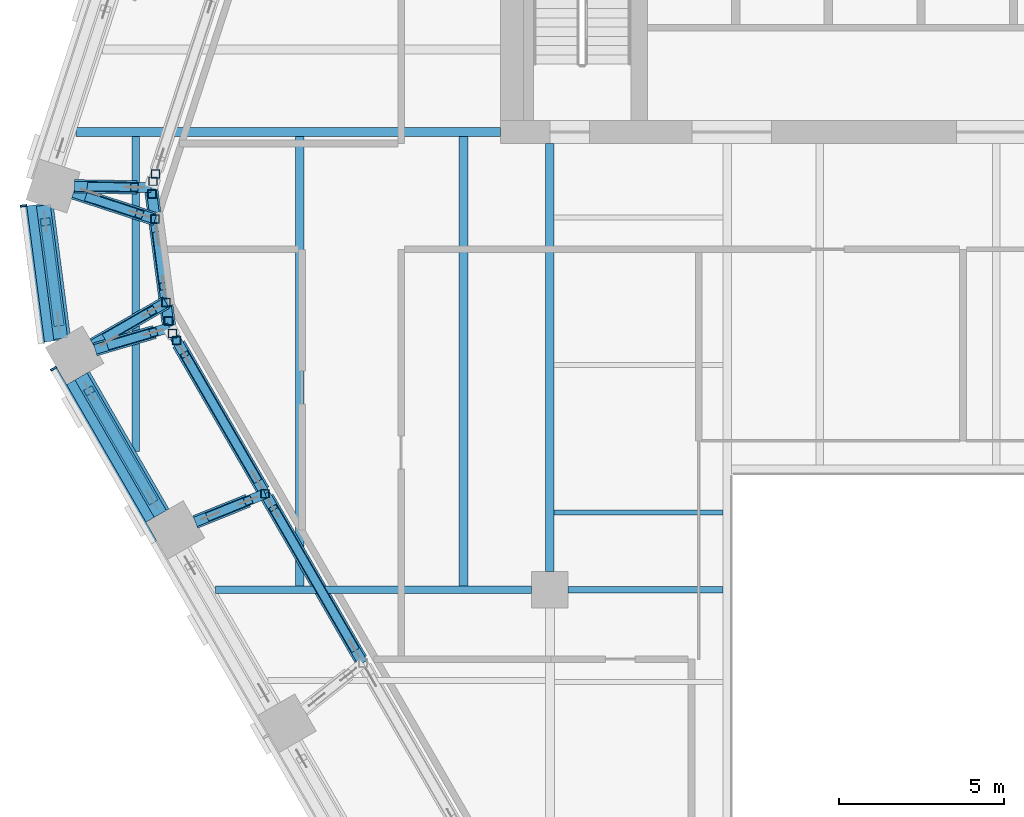
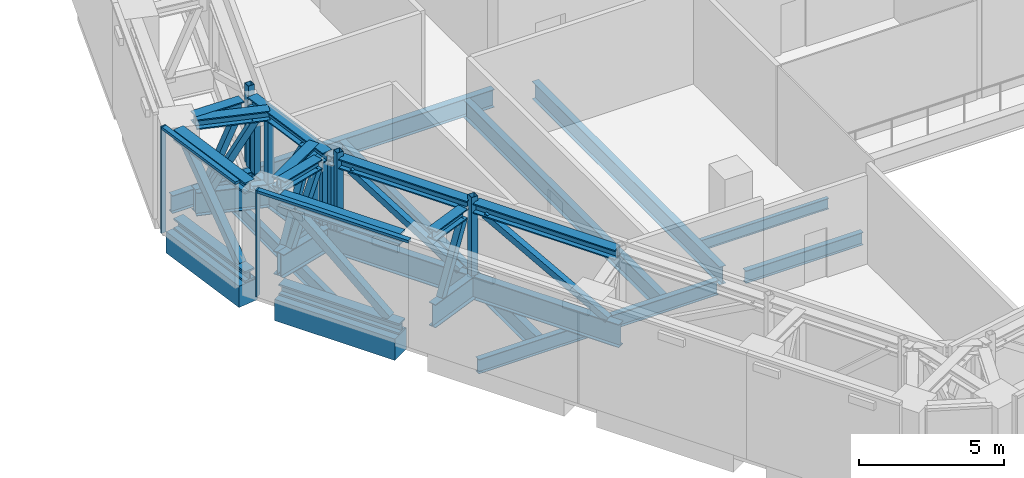
# One storey, part 4 of 26: 43 members, 10 beams, 2 elements without a shape of their own.
"""IFC4 building model written with IfcOpenShell, lengths in metres."""

from ifc_helpers import new_model, si_unit, direction, frame, origin, origin_2d, place, context, subcontext, project, spatial, rectangle, hollow_rectangle, i_section, extrude, material, layer, layer_set, material_profile, profile_set, type_object, element, aggregate, save


model = new_model("IFC4")

# Units and contexts
model_context = context("Model", 3, precision=1e-05, world=origin(), true_north=direction((0.0, 1.0)))
body_context = subcontext(model_context, "Body", "Model", "MODEL_VIEW")
ifc_project = project(units=[si_unit("LENGTHUNIT", "METRE"), si_unit("AREAUNIT", "SQUARE_METRE"), si_unit("VOLUMEUNIT", "CUBIC_METRE"), si_unit("PLANEANGLEUNIT", "RADIAN"), si_unit("MASSUNIT", "GRAM", prefix="KILO")], contexts=[model_context])

# Site, building, storey
site_placement = place(None, origin())
site = spatial("IfcSite", under=ifc_project, at=site_placement, CompositionType="ELEMENT")
building_placement = place(site_placement, origin())
building = spatial("IfcBuilding", under=site, at=building_placement, Name="Isthmus Gate Tower", CompositionType="ELEMENT")
storey_placement = place(building_placement, frame((0.0, 0.0, 207.300048828125)))
storey = spatial("IfcBuildingStorey", under=building, at=storey_placement, Name="L52", CompositionType="ELEMENT", Elevation=207.300048828125)

# Members
ifc_material_1 = material(Name="Structural steel ASTM A913 Gr 65", Category="steel")
ifc_material_profile_1 = material_profile(ifc_material_1, i_section(OverallWidth=0.42236328125, OverallDepth=0.46337890625, WebThickness=0.04443359375, FlangeThickness=0.072998046875, at=origin_2d()), Name="W14X398")
ifc_profile_set_1 = profile_set([ifc_material_profile_1], Name="Structural steel ASTM A913 Gr 65")
member_type_1 = type_object("IfcMemberType", Name="BELT TRUSS CHORD W14X398", PredefinedType="CHORD", material=ifc_profile_set_1)
for number, where, z_axis, x_axis, name in (
    (1, (-25.284912109375, -11.205322265625, 0.231689453125), (-0.499995408039, 0.866028054938, 0.0), (-0.866028054938, -0.499995408039, 0.0), "str-belt19-L52-01"),
    (2, (-25.284912109375, -11.205322265625, 3.96826171875), (-0.499995408039, 0.866028054938, 0.0), (-0.866028054938, -0.499995408039, 0.0), "str-belt19-L52-02"),
):
    element("IfcMember", number, at=place(storey_placement, frame(where, z_axis=z_axis, x_axis=x_axis)), inside=storey, type_object=member_type_1, Name=name, PredefinedType="CHORD", context=body_context, shape_type="SweptSolid", body=[
        extrude(i_section(OverallWidth=0.42236328125, OverallDepth=0.46337890625, WebThickness=0.04443359375, FlangeThickness=0.072998046875, at=origin_2d()), origin(), (0.0, 0.0, 1.0), 4.80029296875),
    ])
for number, where, z_axis, x_axis, name in (
    (3, (-28.299072265625, -5.901611328125, 0.231689453125), (-0.129179927125, 0.991621170825, 0.0), (-0.991621170825, -0.129179927125, 0.0), "str-belt20-L52-01"),
    (4, (-28.299072265625, -5.901611328125, 3.96826171875), (-0.129179927125, 0.991621170825, 0.0), (-0.991621170825, -0.129179927125, 0.0), "str-belt20-L52-02"),
):
    element("IfcMember", number, at=place(storey_placement, frame(where, z_axis=z_axis, x_axis=x_axis)), inside=storey, type_object=member_type_1, Name=name, PredefinedType="CHORD", context=body_context, shape_type="SweptSolid", body=[
        extrude(i_section(OverallWidth=0.42236328125, OverallDepth=0.46337890625, WebThickness=0.04443359375, FlangeThickness=0.072998046875, at=origin_2d()), origin(), (0.0, 0.0, 1.0), 4.063232421875),
    ])

# Curtain wall, member
ifc_material_2 = material(Name="Aluminium, pale champagne anodised", Category="aluminium")
ifc_layer = layer(ifc_material_2, 0.199951171875)
ifc_layer_set = layer_set([ifc_layer], Name="CW-2 LOUVRE CURTAIN WALL 200 DEEP")
curtain_wall_type = type_object("IfcCurtainWallType", Name="CW-2 LOUVRE CURTAIN WALL 200 DEEP", PredefinedType="NOTDEFINED", material=ifc_layer_set)
curtain_wall_1_placement = place(storey_placement, origin())
curtain_wall_1 = element("IfcCurtainWall", 5, at=curtain_wall_1_placement, inside=storey, type_object=curtain_wall_type, Name="CW-2 NW-SW L52", PredefinedType="NOTDEFINED")
ifc_material_3 = material(Name="Aluminium, pale champagne anodised", Category="aluminium")
ifc_material_profile_2 = material_profile(ifc_material_3, rectangle(XDim=0.06005859375, YDim=0.199951171875, at=origin_2d()), Name="60x200")
ifc_profile_set_2 = profile_set([ifc_material_profile_2], Name="Aluminium, pale champagne anodised")
member_type_2 = type_object("IfcMemberType", Name="CW-2 MULLION 60 X 200", PredefinedType="MULLION", material=ifc_profile_set_2)
member_1_placement = place(storey_placement, frame((-29.42724609375, -1.88525390625, 0.0), z_axis=(0.0, 0.0, 1.0), x_axis=(0.129164534, -0.991623175988, 0.0)))
member_1 = element("IfcMember", 6, at=member_1_placement, type_object=member_type_2, Name="CW-2 mullion", PredefinedType="MULLION", context=body_context, shape_type="SweptSolid", body=[
    extrude(rectangle(XDim=0.06005859375, YDim=0.199951171875, at=origin_2d()), origin(), (0.0, 0.0, 1.0), 4.5),
])

curtain_wall_2_placement = place(storey_placement, origin())
curtain_wall_2 = element("IfcCurtainWall", 7, at=curtain_wall_2_placement, inside=storey, type_object=curtain_wall_type, Name="CW-2 SW L52", PredefinedType="NOTDEFINED")
member_2_placement = place(storey_placement, frame((-28.5146484375, -6.811279296875, 0.0), z_axis=(0.0, 0.0, 1.0), x_axis=(0.5, -0.866025403784, 0.0)))
member_2 = element("IfcMember", 8, at=member_2_placement, type_object=member_type_2, Name="CW-2 mullion", PredefinedType="MULLION", context=body_context, shape_type="SweptSolid", body=[
    extrude(rectangle(XDim=0.06005859375, YDim=0.199951171875, at=origin_2d()), origin(), (0.0, 0.0, 1.0), 4.5),
])

# Member
ifc_material_4 = material(Name="Aluminium, pale champagne anodised", Category="aluminium")
ifc_material_profile_3 = material_profile(ifc_material_4, rectangle(XDim=0.199951171875, YDim=0.110107421875, at=origin_2d()), Name="200x110")
ifc_profile_set_3 = profile_set([ifc_material_profile_3], Name="Aluminium, pale champagne anodised")
member_type_3 = type_object("IfcMemberType", Name="CW-2 TRANSOM 200 X 110", PredefinedType="USERDEFINED", material=ifc_profile_set_3)
member_3_placement = place(storey_placement, frame((-29.42333984375, -1.9150390625, 4.445068359375), z_axis=(0.129149481977, -0.991625136483, 0.0), x_axis=(0.991625136483, 0.129149481977, 0.0)))
member_3 = element("IfcMember", 9, at=member_3_placement, type_object=member_type_3, Name="CW-2 transom", ObjectType="TRANSOM", PredefinedType="USERDEFINED", context=body_context, shape_type="SweptSolid", body=[
    extrude(rectangle(XDim=0.199951171875, YDim=0.110107421875, at=origin_2d()), origin(), (0.0, 0.0, 1.0), 4.181396484375),
])

aggregate(curtain_wall_1, [member_1, member_3])

member_4_placement = place(storey_placement, frame((-28.49951171875, -6.837158203125, 4.445068359375), z_axis=(0.499990697366, -0.866030774596, 0.0), x_axis=(0.866030774596, 0.499990697366, 0.0)))
member_4 = element("IfcMember", 10, at=member_4_placement, type_object=member_type_3, Name="CW-2 transom", ObjectType="TRANSOM", PredefinedType="USERDEFINED", context=body_context, shape_type="SweptSolid", body=[
    extrude(rectangle(XDim=0.199951171875, YDim=0.110107421875, at=origin_2d()), origin(), (0.0, 0.0, 1.0), 6.0400390625),
])

aggregate(curtain_wall_2, [member_2, member_4])

# Beams
ifc_material_5 = material(Name="Concrete f'c 60 MPa", Category="concrete")
ifc_material_profile_4 = material_profile(ifc_material_5, rectangle(XDim=0.800048828125, YDim=0.89990234375, at=origin_2d()), Name="RC 800X900")
ifc_profile_set_4 = profile_set([ifc_material_profile_4], Name="Concrete f'c 60 MPa")
beam_type_1 = type_object("IfcBeamType", Name="RC SPANDREL 800 X 900", PredefinedType="SPANDREL", material=ifc_profile_set_4)
beam_1_placement = place(storey_placement, frame((-25.37158203125, -11.255126953125, -0.449951171875), z_axis=(-0.499979284789, 0.866037363387, 0.0), x_axis=(-0.866037363387, -0.499979284789, 0.0)))
element("IfcBeam", 11, at=beam_1_placement, inside=storey, type_object=beam_type_1, Name="str-spandrel-L52-19", PredefinedType="SPANDREL", context=body_context, shape_type="SweptSolid", body=[
    extrude(rectangle(XDim=0.800048828125, YDim=0.89990234375, at=origin_2d()), origin(), (0.0, 0.0, 1.0), 4.800048828125),
])
beam_2_placement = place(storey_placement, frame((-28.392822265625, -5.955810546875, -0.449951171875), z_axis=(-0.129170777359, 0.991622362735, 0.0), x_axis=(-0.991622362735, -0.129170777359, 0.0)))
element("IfcBeam", 12, at=beam_2_placement, inside=storey, type_object=beam_type_1, Name="str-spandrel-L52-20", PredefinedType="SPANDREL", context=body_context, shape_type="SweptSolid", body=[
    extrude(rectangle(XDim=0.800048828125, YDim=0.89990234375, at=origin_2d()), origin(), (0.0, 0.0, 1.0), 4.15234375),
])
ifc_material_6 = material(Name="Structural steel ASTM A992 Gr 50", Category="steel")
ifc_material_profile_5 = material_profile(ifc_material_6, i_section(OverallWidth=0.15234375, OverallDepth=0.45068359375, WebThickness=0.0078125, FlangeThickness=0.010986328125, at=origin_2d()), Name="W18X35")
ifc_profile_set_5 = profile_set([ifc_material_profile_5], Name="Structural steel ASTM A992 Gr 50")
beam_type_2 = type_object("IfcBeamType", Name="STEEL FLOOR BEAM W18X35", PredefinedType="JOIST", material=ifc_profile_set_5)
beam_3_placement = place(storey_placement, frame((-13.3681640625, -11.16259765625, -0.525390625), z_axis=(1.0, 0.0, 0.0), x_axis=(0.0, 1.0, 0.0)))
element("IfcBeam", 13, at=beam_3_placement, inside=storey, type_object=beam_type_2, Name="str-beam-L52-04-00", PredefinedType="JOIST", context=body_context, shape_type="SweptSolid", body=[
    extrude(i_section(OverallWidth=0.15234375, OverallDepth=0.45068359375, WebThickness=0.0078125, FlangeThickness=0.010986328125, at=origin_2d()), origin(), (0.0, 0.0, 1.0), 5.1015625),
])
ifc_material_7 = material(Name="Structural steel ASTM A992 Gr 50", Category="steel")
ifc_material_profile_6 = material_profile(ifc_material_7, i_section(OverallWidth=0.228515625, OverallDepth=0.603271484375, WebThickness=0.010986328125, FlangeThickness=0.014404296875, at=origin_2d()), Name="W24X68")
ifc_profile_set_6 = profile_set([ifc_material_profile_6], Name="Structural steel ASTM A992 Gr 50")
beam_type_3 = type_object("IfcBeamType", Name="STEEL FLOOR BEAM W24X68", PredefinedType="JOIST", material=ifc_profile_set_6)
beam_4_placement = place(storey_placement, frame((-26.028564453125, -9.317138671875, -0.6015625), z_axis=(0.0, 1.0, 0.0), x_axis=(-1.0, 0.0, 0.0)))
element("IfcBeam", 14, at=beam_4_placement, inside=storey, type_object=beam_type_3, Name="str-beam-L52-00-00", PredefinedType="JOIST", context=body_context, shape_type="SweptSolid", body=[
    extrude(i_section(OverallWidth=0.228515625, OverallDepth=0.603271484375, WebThickness=0.010986328125, FlangeThickness=0.014404296875, at=origin_2d()), origin(), (0.0, 0.0, 1.0), 9.535400390625),
])
ifc_material_8 = material(Name="Structural steel ASTM A992 Gr 50", Category="steel")
ifc_material_profile_7 = material_profile(ifc_material_8, i_section(OverallWidth=0.263427734375, OverallDepth=0.749267578125, WebThickness=0.0126953125, FlangeThickness=0.015869140625, at=origin_2d()), Name="W30X90")
ifc_profile_set_7 = profile_set([ifc_material_profile_7], Name="Structural steel ASTM A992 Gr 50")
beam_type_4 = type_object("IfcBeamType", Name="STEEL FLOOR BEAM W30X90", PredefinedType="JOIST", material=ifc_profile_set_7)
for number, where, z_axis, x_axis, name in (
    (15, (-21.06982421875, -13.3857421875, -0.6748046875), (0.0, 1.0, 0.0), (-1.0, 0.0, 0.0), "str-beam-L52-00-01"),
    (16, (-16.111083984375, -13.3857421875, -0.6748046875), (0.0, 1.0, 0.0), (-1.0, 0.0, 0.0), "str-beam-L52-00-02"),
):
    element("IfcBeam", number, at=place(storey_placement, frame(where, z_axis=z_axis, x_axis=x_axis)), inside=storey, type_object=beam_type_4, Name=name, PredefinedType="JOIST", context=body_context, shape_type="SweptSolid", body=[
        extrude(i_section(OverallWidth=0.263427734375, OverallDepth=0.749267578125, WebThickness=0.0126953125, FlangeThickness=0.015869140625, at=origin_2d()), origin(), (0.0, 0.0, 1.0), 13.60400390625),
    ])
ifc_material_9 = material(Name="Structural steel ASTM A992 Gr 50", Category="steel")
ifc_material_profile_8 = material_profile(ifc_material_9, i_section(OverallWidth=0.20947265625, OverallDepth=0.533447265625, WebThickness=0.009521484375, FlangeThickness=0.015869140625, at=origin_2d()), Name="W21X62")
ifc_profile_set_8 = profile_set([ifc_material_profile_8], Name="Structural steel ASTM A992 Gr 50")
beam_type_5 = type_object("IfcBeamType", Name="STEEL GIRDER W21X62", PredefinedType="BEAM", material=ifc_profile_set_8)
beam_5_placement = place(storey_placement, frame((-12.949951171875, -13.5, -0.566650390625), z_axis=(1.0, 0.0, 0.0), x_axis=(0.0, 1.0, 0.0)))
element("IfcBeam", 17, at=beam_5_placement, inside=storey, type_object=beam_type_5, Name="str-girder-L52-02", PredefinedType="BEAM", context=body_context, shape_type="SweptSolid", body=[
    extrude(i_section(OverallWidth=0.20947265625, OverallDepth=0.533447265625, WebThickness=0.009521484375, FlangeThickness=0.015869140625, at=origin_2d()), origin(), (0.0, 0.0, 1.0), 4.683349609375),
])
ifc_material_10 = material(Name="Structural steel ASTM A992 Gr 50", Category="steel")
ifc_material_profile_9 = material_profile(ifc_material_10, i_section(OverallWidth=0.228515625, OverallDepth=0.6064453125, WebThickness=0.010986328125, FlangeThickness=0.017578125, at=origin_2d()), Name="W24X76")
ifc_profile_set_9 = profile_set([ifc_material_profile_9], Name="Structural steel ASTM A992 Gr 50")
beam_type_6 = type_object("IfcBeamType", Name="STEEL GIRDER W24X76", PredefinedType="BEAM", material=ifc_profile_set_9)
beam_6_placement = place(storey_placement, frame((-23.613525390625, -13.5, -0.603271484375), z_axis=(1.0, 0.0, 0.0), x_axis=(0.0, 1.0, 0.0)))
element("IfcBeam", 18, at=beam_6_placement, inside=storey, type_object=beam_type_6, Name="str-girder-L52-01", PredefinedType="BEAM", context=body_context, shape_type="SweptSolid", body=[
    extrude(i_section(OverallWidth=0.228515625, OverallDepth=0.6064453125, WebThickness=0.010986328125, FlangeThickness=0.017578125, at=origin_2d()), origin(), (0.0, 0.0, 1.0), 9.5634765625),
])
ifc_material_11 = material(Name="Structural steel ASTM A992 Gr 50", Category="steel")
ifc_material_profile_10 = material_profile(ifc_material_11, i_section(OverallWidth=0.263427734375, OverallDepth=0.749267578125, WebThickness=0.0126953125, FlangeThickness=0.015869140625, at=origin_2d()), Name="W30X90")
ifc_profile_set_10 = profile_set([ifc_material_profile_10], Name="Structural steel ASTM A992 Gr 50")
beam_type_7 = type_object("IfcBeamType", Name="STEEL GIRDER W30X90", PredefinedType="BEAM", material=ifc_profile_set_10)
beam_7_placement = place(storey_placement, frame((-13.5, -12.949951171875, -0.6748046875), z_axis=(0.0, 1.0, 0.0), x_axis=(-1.0, 0.0, 0.0)))
element("IfcBeam", 19, at=beam_7_placement, inside=storey, type_object=beam_type_7, Name="str-girder-L52-08", PredefinedType="BEAM", context=body_context, shape_type="SweptSolid", body=[
    extrude(i_section(OverallWidth=0.263427734375, OverallDepth=0.749267578125, WebThickness=0.0126953125, FlangeThickness=0.015869140625, at=origin_2d()), origin(), (0.0, 0.0, 1.0), 12.949951171875),
])
beam_8_placement = place(storey_placement, frame((-15.0, 0.35009765625, -0.6748046875), z_axis=(-1.0, 0.0, 0.0), x_axis=(0.0, -1.0, 0.0)))
element("IfcBeam", 20, at=beam_8_placement, inside=storey, type_object=beam_type_7, Name="str-girder-L52-13", PredefinedType="BEAM", context=body_context, shape_type="SweptSolid", body=[
    extrude(i_section(OverallWidth=0.263427734375, OverallDepth=0.749267578125, WebThickness=0.0126953125, FlangeThickness=0.015869140625, at=origin_2d()), origin(), (0.0, 0.0, 1.0), 12.8427734375),
])

# Members
ifc_material_12 = material(Name="Structural steel ASTM A913 Gr 65", Category="steel")
ifc_material_profile_11 = material_profile(ifc_material_12, i_section(OverallWidth=0.406494140625, OverallDepth=0.416015625, WebThickness=0.0302734375, FlangeThickness=0.047607421875, at=origin_2d()), Name="W14X257")
ifc_profile_set_11 = profile_set([ifc_material_profile_11], Name="Structural steel ASTM A913 Gr 65")
member_type_4 = type_object("IfcMemberType", Name="TRANSFER TRUSS CHORD W14X257", PredefinedType="CHORD", material=ifc_profile_set_11)
member_5_placement = place(storey_placement, frame((-19.22265625, -15.605224609375, 3.89208984375), z_axis=(-0.500010103361, 0.866019570528, 0.0), x_axis=(-0.866019570528, -0.500010103361, 0.0)))
element("IfcMember", 21, at=member_5_placement, inside=storey, type_object=member_type_4, Name="str-ring07-L52-16", PredefinedType="CHORD", context=body_context, shape_type="SweptSolid", body=[
    extrude(i_section(OverallWidth=0.406494140625, OverallDepth=0.416015625, WebThickness=0.0302734375, FlangeThickness=0.047607421875, at=origin_2d()), origin(), (0.0, 0.0, 1.0), 5.6572265625),
])
member_6_placement = place(storey_placement, frame((-22.17822265625, -10.486083984375, 3.89208984375), z_axis=(-0.500001144849, 0.866024742805, 0.0), x_axis=(-0.866024742805, -0.500001144849, 0.0)))
element("IfcMember", 22, at=member_6_placement, inside=storey, type_object=member_type_4, Name="str-ring07-L52-17", PredefinedType="CHORD", context=body_context, shape_type="SweptSolid", body=[
    extrude(i_section(OverallWidth=0.406494140625, OverallDepth=0.416015625, WebThickness=0.0302734375, FlangeThickness=0.047607421875, at=origin_2d()), origin(), (0.0, 0.0, 1.0), 5.10595703125),
])
member_7_placement = place(storey_placement, frame((-25.014892578125, -5.57275390625, 3.89208984375), z_axis=(-0.129185364631, 0.991620462458, 0.0), x_axis=(-0.991620462458, -0.129185364631, 0.0)))
element("IfcMember", 23, at=member_7_placement, inside=storey, type_object=member_type_4, Name="str-ring08-L52-06", PredefinedType="CHORD", context=body_context, shape_type="SweptSolid", body=[
    extrude(i_section(OverallWidth=0.406494140625, OverallDepth=0.416015625, WebThickness=0.0302734375, FlangeThickness=0.047607421875, at=origin_2d()), origin(), (0.0, 0.0, 1.0), 4.27490234375),
])
member_8_placement = place(storey_placement, frame((-27.9130859375, -1.48486328125, 3.89208984375), z_axis=(0.951071363427, -0.308971295867, 0.0), x_axis=(0.308971295867, 0.951071363427, 0.0)))
element("IfcMember", 24, at=member_8_placement, inside=storey, type_object=member_type_4, Name="str-link09-L52-02", PredefinedType="CHORD", context=body_context, shape_type="SweptSolid", body=[
    extrude(i_section(OverallWidth=0.406494140625, OverallDepth=0.416015625, WebThickness=0.0302734375, FlangeThickness=0.047607421875, at=origin_2d()), origin(), (0.0, 0.0, 1.0), 2.597412109375),
])
member_9_placement = place(storey_placement, frame((-27.317138671875, -6.085205078125, 3.89208984375), z_axis=(0.866025770688, 0.499999364504, 0.0), x_axis=(-0.499999364504, 0.866025770688, 0.0)))
element("IfcMember", 25, at=member_9_placement, inside=storey, type_object=member_type_4, Name="str-link10-L52-02", PredefinedType="CHORD", context=body_context, shape_type="SweptSolid", body=[
    extrude(i_section(OverallWidth=0.406494140625, OverallDepth=0.416015625, WebThickness=0.0302734375, FlangeThickness=0.047607421875, at=origin_2d()), origin(), (0.0, 0.0, 1.0), 2.5439453125),
])
member_10_placement = place(storey_placement, frame((-24.227294921875, -11.44970703125, 3.89208984375), z_axis=(0.927230483325, 0.374491162504, 0.0), x_axis=(-0.374491162504, 0.927230483325, 0.0)))
element("IfcMember", 26, at=member_10_placement, inside=storey, type_object=member_type_4, Name="str-link11-L52-02", PredefinedType="CHORD", context=body_context, shape_type="SweptSolid", body=[
    extrude(i_section(OverallWidth=0.406494140625, OverallDepth=0.416015625, WebThickness=0.0302734375, FlangeThickness=0.047607421875, at=origin_2d()), origin(), (0.0, 0.0, 1.0), 1.72314453125),
])
member_11_placement = place(storey_placement, frame((-27.256103515625, -6.22802734375, 3.89208984375), z_axis=(0.959827419567, 0.280591027383, 0.0), x_axis=(-0.280591027383, 0.959827419567, 0.0)))
element("IfcMember", 27, at=member_11_placement, inside=storey, type_object=member_type_4, Name="str-link38-L52-02", PredefinedType="CHORD", context=body_context, shape_type="SweptSolid", body=[
    extrude(i_section(OverallWidth=0.406494140625, OverallDepth=0.416015625, WebThickness=0.0302734375, FlangeThickness=0.047607421875, at=origin_2d()), origin(), (0.0, 0.0, 1.0), 1.87158203125),
])
member_12_placement = place(storey_placement, frame((-27.88134765625, -1.294921875, 3.89208984375), z_axis=(0.999861319234, -0.016653597183, 0.0), x_axis=(0.016653597183, 0.999861319234, 0.0)))
element("IfcMember", 28, at=member_12_placement, inside=storey, type_object=member_type_4, Name="str-link39-L52-02", PredefinedType="CHORD", context=body_context, shape_type="SweptSolid", body=[
    extrude(i_section(OverallWidth=0.406494140625, OverallDepth=0.416015625, WebThickness=0.0302734375, FlangeThickness=0.047607421875, at=origin_2d()), origin(), (0.0, 0.0, 1.0), 1.89111328125),
])
ifc_material_13 = material(Name="Structural steel ASTM A913 Gr 65", Category="steel")
ifc_material_profile_12 = material_profile(ifc_material_13, i_section(OverallWidth=0.29833984375, OverallDepth=0.981201171875, WebThickness=0.015869140625, FlangeThickness=0.025390625, at=origin_2d()), Name="W40X167")
ifc_profile_set_12 = profile_set([ifc_material_profile_12], Name="Structural steel ASTM A913 Gr 65")
member_type_5 = type_object("IfcMemberType", Name="TRANSFER TRUSS CHORD W40X167", PredefinedType="CHORD", material=ifc_profile_set_12)
member_13_placement = place(storey_placement, frame((-19.1591796875, -15.71533203125, 0.490478515625), z_axis=(-0.500003703423, 0.866023265602, 0.0), x_axis=(-0.866023265602, -0.500003703423, 0.0)))
element("IfcMember", 29, at=member_13_placement, inside=storey, type_object=member_type_5, Name="str-ring07-L52-11", PredefinedType="CHORD", context=body_context, shape_type="SweptSolid", body=[
    extrude(i_section(OverallWidth=0.29833984375, OverallDepth=0.981201171875, WebThickness=0.015869140625, FlangeThickness=0.025390625, at=origin_2d()), origin(), (0.0, 0.0, 1.0), 5.9111328125),
])
member_14_placement = place(storey_placement, frame((-22.11474609375, -10.59619140625, 0.490478515625), z_axis=(-0.499982349449, 0.866035594095, 0.0), x_axis=(-0.866035594095, -0.499982349449, 0.0)))
element("IfcMember", 30, at=member_14_placement, inside=storey, type_object=member_type_5, Name="str-ring07-L52-12", PredefinedType="CHORD", context=body_context, shape_type="SweptSolid", body=[
    extrude(i_section(OverallWidth=0.29833984375, OverallDepth=0.981201171875, WebThickness=0.015869140625, FlangeThickness=0.025390625, at=origin_2d()), origin(), (0.0, 0.0, 1.0), 5.800537109375),
])
member_15_placement = place(storey_placement, frame((-25.014892578125, -5.57275390625, 0.490478515625), z_axis=(-0.129185364631, 0.991620462458, 0.0), x_axis=(-0.991620462458, -0.129185364631, 0.0)))
element("IfcMember", 31, at=member_15_placement, inside=storey, type_object=member_type_5, Name="str-ring08-L52-05", PredefinedType="CHORD", context=body_context, shape_type="SweptSolid", body=[
    extrude(i_section(OverallWidth=0.29833984375, OverallDepth=0.981201171875, WebThickness=0.015869140625, FlangeThickness=0.025390625, at=origin_2d()), origin(), (0.0, 0.0, 1.0), 4.27490234375),
])
member_16_placement = place(storey_placement, frame((-27.9130859375, -1.48486328125, 0.490478515625), z_axis=(0.951071363427, -0.308971295867, 0.0), x_axis=(0.308971295867, 0.951071363427, 0.0)))
element("IfcMember", 32, at=member_16_placement, inside=storey, type_object=member_type_5, Name="str-link09-L52-01", PredefinedType="CHORD", context=body_context, shape_type="SweptSolid", body=[
    extrude(i_section(OverallWidth=0.29833984375, OverallDepth=0.981201171875, WebThickness=0.015869140625, FlangeThickness=0.025390625, at=origin_2d()), origin(), (0.0, 0.0, 1.0), 2.597412109375),
])
member_17_placement = place(storey_placement, frame((-27.317138671875, -6.085205078125, 0.490478515625), z_axis=(0.866025770688, 0.499999364504, 0.0), x_axis=(-0.499999364504, 0.866025770688, 0.0)))
element("IfcMember", 33, at=member_17_placement, inside=storey, type_object=member_type_5, Name="str-link10-L52-01", PredefinedType="CHORD", context=body_context, shape_type="SweptSolid", body=[
    extrude(i_section(OverallWidth=0.29833984375, OverallDepth=0.981201171875, WebThickness=0.015869140625, FlangeThickness=0.025390625, at=origin_2d()), origin(), (0.0, 0.0, 1.0), 2.5439453125),
])
member_18_placement = place(storey_placement, frame((-24.227294921875, -11.44970703125, 0.490478515625), z_axis=(0.927237544412, 0.37447367896, 0.0), x_axis=(-0.37447367896, 0.927237544412, 0.0)))
element("IfcMember", 34, at=member_18_placement, inside=storey, type_object=member_type_5, Name="str-link11-L52-01", PredefinedType="CHORD", context=body_context, shape_type="SweptSolid", body=[
    extrude(i_section(OverallWidth=0.29833984375, OverallDepth=0.981201171875, WebThickness=0.015869140625, FlangeThickness=0.025390625, at=origin_2d()), origin(), (0.0, 0.0, 1.0), 2.278564453125),
])
member_19_placement = place(storey_placement, frame((-27.256103515625, -6.22802734375, 0.490478515625), z_axis=(0.959817116766, 0.280626268126, 0.0), x_axis=(-0.280626268126, 0.959817116766, 0.0)))
element("IfcMember", 35, at=member_19_placement, inside=storey, type_object=member_type_5, Name="str-link38-L52-01", PredefinedType="CHORD", context=body_context, shape_type="SweptSolid", body=[
    extrude(i_section(OverallWidth=0.29833984375, OverallDepth=0.981201171875, WebThickness=0.015869140625, FlangeThickness=0.025390625, at=origin_2d()), origin(), (0.0, 0.0, 1.0), 2.3349609375),
])
member_20_placement = place(storey_placement, frame((-27.88134765625, -1.294921875, 0.490478515625), z_axis=(0.999859347462, -0.016771562005, 0.0), x_axis=(0.016771562005, 0.999859347462, 0.0)))
element("IfcMember", 36, at=member_20_placement, inside=storey, type_object=member_type_5, Name="str-link39-L52-01", PredefinedType="CHORD", context=body_context, shape_type="SweptSolid", body=[
    extrude(i_section(OverallWidth=0.29833984375, OverallDepth=0.981201171875, WebThickness=0.015869140625, FlangeThickness=0.025390625, at=origin_2d()), origin(), (0.0, 0.0, 1.0), 2.314453125),
])
ifc_material_14 = material(Name="Structural steel ASTM A500 Gr C", Category="steel")
ifc_material_profile_13 = material_profile(ifc_material_14, hollow_rectangle(XDim=0.25390625, YDim=0.25390625, WallThickness=0.01171875, at=origin_2d()), Name="HSS10X10X1/2")
ifc_profile_set_13 = profile_set([ifc_material_profile_13], Name="Structural steel ASTM A500 Gr C")
member_type_6 = type_object("IfcMemberType", Name="TRANSFER TRUSS DIAGONAL HSS10X10X1/2", PredefinedType="BRACE", material=ifc_profile_set_13)
member_21_placement = place(storey_placement, frame((-19.4091796875, -15.2822265625, 0.98095703125), z_axis=(-0.43803205695, 0.758695214171, 0.482192377665), x_axis=(-0.866025813625, -0.499999290135, 0.0)))
element("IfcMember", 37, at=member_21_placement, inside=storey, type_object=member_type_6, Name="str-ring07-L52-22", PredefinedType="BRACE", context=body_context, shape_type="SweptSolid", body=[
    extrude(hollow_rectangle(XDim=0.25390625, YDim=0.25390625, WallThickness=0.01171875, at=origin_2d()), origin(), (0.0, 0.0, 1.0), 5.60595703125),
])
member_22_placement = place(storey_placement, frame((-22.36474609375, -10.1630859375, 0.98095703125), z_axis=(-0.424943203727, 0.736047887652, 0.526931476276), x_axis=(-0.866032659912, -0.499987431809, 0.0)))
element("IfcMember", 38, at=member_22_placement, inside=storey, type_object=member_type_6, Name="str-ring07-L52-23", PredefinedType="BRACE", context=body_context, shape_type="SweptSolid", body=[
    extrude(hollow_rectangle(XDim=0.25390625, YDim=0.25390625, WallThickness=0.01171875, at=origin_2d()), origin(), (0.0, 0.0, 1.0), 5.1298828125),
])
member_23_placement = place(storey_placement, frame((-25.37841796875, -2.783447265625, 0.98095703125), z_axis=(0.064201036245, -0.492521502717, 0.867929027229), x_axis=(0.991610968624, 0.129258217938, 0.0)))
element("IfcMember", 39, at=member_23_placement, inside=storey, type_object=member_type_6, Name="str-ring08-L52-07", PredefinedType="BRACE", context=body_context, shape_type="SweptSolid", body=[
    extrude(hollow_rectangle(XDim=0.25390625, YDim=0.25390625, WallThickness=0.01171875, at=origin_2d()), origin(), (0.0, 0.0, 1.0), 3.114501953125),
])
member_24_placement = place(storey_placement, frame((-27.4375, -1.639404296875, 0.98095703125), z_axis=(0.483809211934, -0.157226330204, 0.860934682504), x_axis=(0.309065334948, 0.951040808133, 0.0)))
element("IfcMember", 40, at=member_24_placement, inside=storey, type_object=member_type_6, Name="str-link09-L52-03", PredefinedType="BRACE", context=body_context, shape_type="SweptSolid", body=[
    extrude(hollow_rectangle(XDim=0.25390625, YDim=0.25390625, WallThickness=0.01171875, at=origin_2d()), origin(), (0.0, 0.0, 1.0), 3.1396484375),
])
member_25_placement = place(storey_placement, frame((-26.884033203125, -5.835205078125, 0.98095703125), z_axis=(0.429538959405, 0.247982871945, 0.868332181584), x_axis=(-0.499982516597, 0.866035497597, 0.0)))
element("IfcMember", 41, at=member_25_placement, inside=storey, type_object=member_type_6, Name="str-link10-L52-03", PredefinedType="BRACE", context=body_context, shape_type="SweptSolid", body=[
    extrude(hollow_rectangle(XDim=0.25390625, YDim=0.25390625, WallThickness=0.01171875, at=origin_2d()), origin(), (0.0, 0.0, 1.0), 3.113037109375),
])
member_26_placement = place(storey_placement, frame((-23.763671875, -11.262451171875, 0.98095703125), z_axis=(0.382224159961, 0.154370834034, 0.911084154808), x_axis=(-0.374486153298, 0.927232506434, 0.0)))
element("IfcMember", 42, at=member_26_placement, inside=storey, type_object=member_type_6, Name="str-link11-L52-03", PredefinedType="BRACE", context=body_context, shape_type="SweptSolid", body=[
    extrude(hollow_rectangle(XDim=0.25390625, YDim=0.25390625, WallThickness=0.01171875, at=origin_2d()), origin(), (0.0, 0.0, 1.0), 2.967041015625),
])
member_27_placement = place(storey_placement, frame((-26.7763671875, -6.087646484375, 0.98095703125), z_axis=(0.42505948238, 0.124221993898, 0.896600988551), x_axis=(-0.280512562963, 0.959850353972, 0.0)))
element("IfcMember", 43, at=member_27_placement, inside=storey, type_object=member_type_6, Name="str-link38-L52-03", PredefinedType="BRACE", context=body_context, shape_type="SweptSolid", body=[
    extrude(hollow_rectangle(XDim=0.25390625, YDim=0.25390625, WallThickness=0.01171875, at=origin_2d()), origin(), (0.0, 0.0, 1.0), 3.014892578125),
])
member_28_placement = place(storey_placement, frame((-27.381591796875, -1.30322265625, 0.98095703125), z_axis=(0.437297817288, -0.007309956084, 0.899287041793), x_axis=(0.016713861113, 0.999860313667, 0.0)))
element("IfcMember", 44, at=member_28_placement, inside=storey, type_object=member_type_6, Name="str-link39-L52-03", PredefinedType="BRACE", context=body_context, shape_type="SweptSolid", body=[
    extrude(hollow_rectangle(XDim=0.25390625, YDim=0.25390625, WallThickness=0.01171875, at=origin_2d()), origin(), (0.0, 0.0, 1.0), 3.005859375),
])
ifc_material_15 = material(Name="Structural steel ASTM A500 Gr C", Category="steel")
ifc_material_profile_14 = material_profile(ifc_material_15, hollow_rectangle(XDim=0.25390625, YDim=0.25390625, WallThickness=0.01171875, at=origin_2d()), Name="HSS10X10X1/2")
ifc_profile_set_14 = profile_set([ifc_material_profile_14], Name="Structural steel ASTM A500 Gr C")
member_type_7 = type_object("IfcMemberType", Name="TRANSFER TRUSS POST HSS10X10X1/2", PredefinedType="POST", material=ifc_profile_set_14)
for number, where, z_axis, x_axis, name in (
    (45, (-22.11474609375, -10.59619140625, 0.98095703125), (0.0, 0.0, 1.0), (1.0, 0.0, 0.0), "str-ring07-L52-06"),
    (46, (-24.794677734375, -5.954345703125, 0.98095703125), (0.0, 0.0, 1.0), (1.0, 0.0, 0.0), "str-ring07-L52-07"),
):
    element("IfcMember", number, at=place(storey_placement, frame(where, z_axis=z_axis, x_axis=x_axis)), inside=storey, type_object=member_type_7, Name=name, PredefinedType="POST", context=body_context, shape_type="SweptSolid", body=[
        extrude(hollow_rectangle(XDim=0.25390625, YDim=0.25390625, WallThickness=0.01171875, at=origin_2d()), origin(), (0.0, 0.0, 1.0), 3.319091796875),
    ])
for number, where, z_axis, x_axis, name in (
    (47, (-24.914794921875, -5.746337890625, 0.98095703125), (0.0, 0.0, 1.0), (1.0, 0.0, 0.0), "str-ring07-L52-08"),
    (48, (-25.040771484375, -5.37451171875, 0.98095703125), (0.0, 0.0, 1.0), (1.0, 0.0, 0.0), "str-ring08-L52-01"),
    (49, (-25.114013671875, -4.813232421875, 0.98095703125), (0.0, 0.0, 1.0), (1.0, 0.0, 0.0), "str-ring08-L52-02"),
    (50, (-25.44287109375, -2.28759765625, 0.98095703125), (0.0, 0.0, 1.0), (1.0, 0.0, 0.0), "str-ring08-L52-03"),
    (51, (-25.541259765625, -1.531982421875, 0.98095703125), (0.0, 0.0, 1.0), (1.0, 0.0, 0.0), "str-ring08-L52-04"),
    (52, (-25.50537109375, -1.143310546875, 0.98095703125), (0.0, 0.0, 1.0), (1.0, 0.0, 0.0), "str-ring09-L52-01"),
):
    element("IfcMember", number, at=place(storey_placement, frame(where, z_axis=z_axis, x_axis=x_axis)), inside=storey, type_object=member_type_7, Name=name, PredefinedType="POST", context=body_context, shape_type="SweptSolid", body=[
        extrude(hollow_rectangle(XDim=0.25390625, YDim=0.25390625, WallThickness=0.01171875, at=origin_2d()), origin(), (0.0, 0.0, 1.0), 2.703125),
    ])
member_29_placement = place(storey_placement, frame((-25.435546875, -0.928466796875, 0.98095703125), z_axis=(0.0, 0.0, 1.0), x_axis=(1.0, 0.0, 0.0)))
element("IfcMember", 53, at=member_29_placement, inside=storey, type_object=member_type_7, Name="str-ring09-L52-02", PredefinedType="POST", context=body_context, shape_type="SweptSolid", body=[
    extrude(hollow_rectangle(XDim=0.25390625, YDim=0.25390625, WallThickness=0.01171875, at=origin_2d()), origin(), (0.0, 0.0, 1.0), 3.319091796875),
])
ifc_material_16 = material(Name="Structural steel ASTM A500 Gr C", Category="steel")
ifc_material_profile_15 = material_profile(ifc_material_16, hollow_rectangle(XDim=0.3046875, YDim=0.3046875, WallThickness=0.014892578125, at=origin_2d()), Name="HSS12X12X5/8")
ifc_profile_set_15 = profile_set([ifc_material_profile_15], Name="Structural steel ASTM A500 Gr C")
member_type_8 = type_object("IfcMemberType", Name="TRUSS DIAGONAL HSS12X12X5/8", PredefinedType="BRACE", material=ifc_profile_set_15)
member_30_placement = place(storey_placement, frame((-25.534912109375, -10.772216796875, 0.46337890625), z_axis=(-0.378855637357, 0.65617037024, 0.652616925357), x_axis=(-0.86601654697, -0.500015340139, 0.0)))
element("IfcMember", 54, at=member_30_placement, inside=storey, type_object=member_type_8, Name="str-belt19-L52-03", PredefinedType="BRACE", context=body_context, shape_type="SweptSolid", body=[
    extrude(hollow_rectangle(XDim=0.3046875, YDim=0.3046875, WallThickness=0.014892578125, at=origin_2d()), origin(), (0.0, 0.0, 1.0), 5.015380859375),
])
member_31_placement = place(storey_placement, frame((-28.363525390625, -5.40576171875, 0.46337890625), z_axis=(-0.088278100246, 0.677579348092, 0.730132319553), x_axis=(-0.991619510434, -0.129192672112, 0.0)))
element("IfcMember", 55, at=member_31_placement, inside=storey, type_object=member_type_8, Name="str-belt20-L52-03", PredefinedType="BRACE", context=body_context, shape_type="SweptSolid", body=[
    extrude(hollow_rectangle(XDim=0.3046875, YDim=0.3046875, WallThickness=0.014892578125, at=origin_2d()), origin(), (0.0, 0.0, 1.0), 4.48291015625),
])

save(model, "model.ifc")
